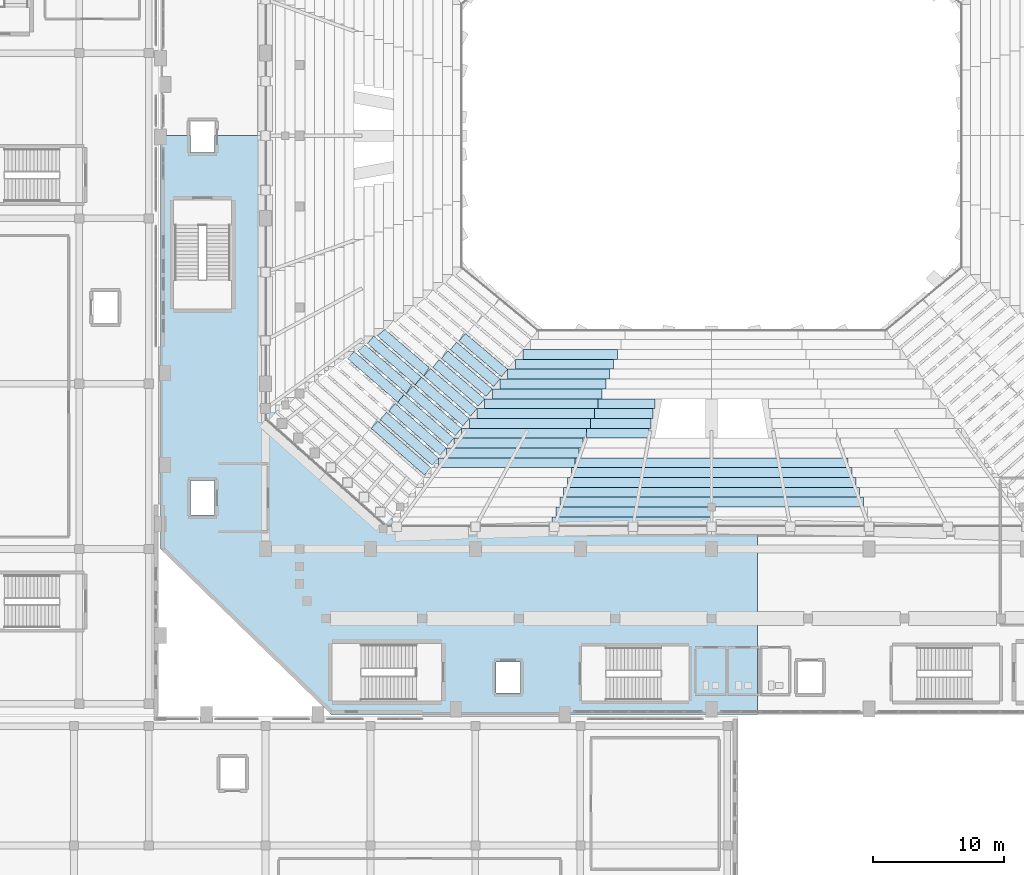
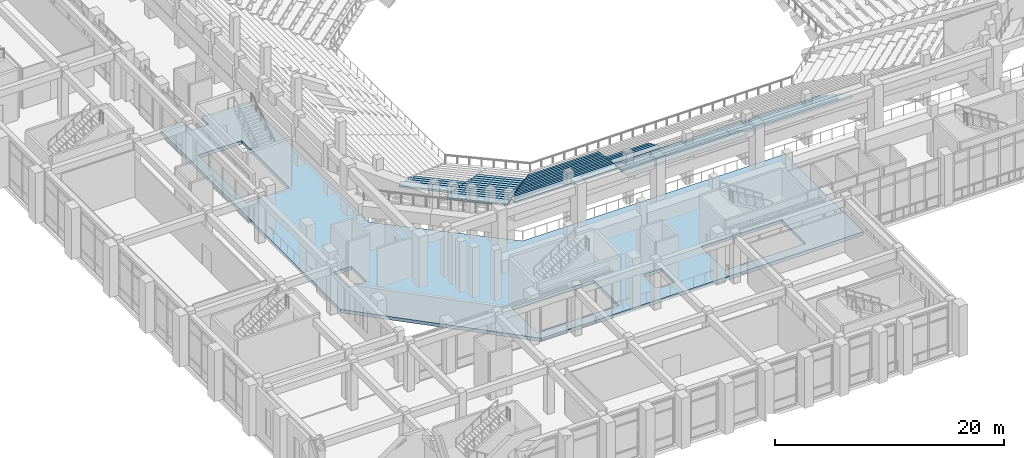
# One storey, part 89 of 159: 44 slabs.
"""IFC4 building model written with IfcOpenShell, lengths in metres."""

from ifc_helpers import new_model, si_unit, derived_unit, direction, frame, origin, place, context, subcontext, project, spatial, polyline, outline, extrude, material, layer, layer_set, type_object, element, save


model = new_model("IFC4")

# Units and contexts
model_context = context("Model", 3, precision=1e-05, world=origin(), true_north=direction((0.0, 1.0)))
body_context = subcontext(model_context, "Body", "Model", "MODEL_VIEW")
ifc_project = project(units=[si_unit("LENGTHUNIT", "METRE"), si_unit("AREAUNIT", "SQUARE_METRE"), si_unit("VOLUMEUNIT", "CUBIC_METRE"), si_unit("PLANEANGLEUNIT", "RADIAN"), si_unit("MASSUNIT", "GRAM", prefix="KILO"), derived_unit("THERMALTRANSMITTANCEUNIT", [(si_unit("MASSUNIT", "GRAM", prefix="KILO"), 1), (si_unit("TIMEUNIT", "SECOND"), -3), (si_unit("THERMODYNAMICTEMPERATUREUNIT", "KELVIN"), -1)])], contexts=[model_context])

# Site, building, storey
site_placement = place(None, origin())
site = spatial("IfcSite", under=ifc_project, at=site_placement, CompositionType="ELEMENT")
building_placement = place(site_placement, origin())
building = spatial("IfcBuilding", under=site, at=building_placement, Name="Valcora Ridge Arena", CompositionType="ELEMENT")
storey_placement = place(building_placement, frame((0.0, 0.0, 6.0)))
storey = spatial("IfcBuildingStorey", under=building, at=storey_placement, Name="L01", CompositionType="ELEMENT", Elevation=6.0)

# Slabs
ifc_material_1 = material(Name="Concrete C40/50", Category="concrete")
ifc_layer_1 = layer(ifc_material_1, 0.360107421875, Name="Concrete C40/50")
ifc_layer_set_1 = layer_set([ifc_layer_1], Name="Concrete C40/50")
slab_type_1 = type_object("IfcSlabType", Name="TY-SLAB-SL-CONC-360-SW", PredefinedType="FLOOR", material=ifc_layer_set_1)
slab_1_placement = place(storey_placement, frame((0.0, 0.0, -0.360107421875)))
element("IfcSlab", 1, at=slab_1_placement, inside=storey, type_object=slab_type_1, Name="SL-CONC-360-SW SLB-0037", PredefinedType="FLOOR", context=body_context, shape_type="SweptSolid", body=[
    extrude(outline(polyline([(16.0, 64.10009765625), (16.0, 32.60009765625), (29.0, 20.0), (61.5, 20.0), (61.5, 33.699951171875), (35.0, 33.699951171875), (24.800048828125, 42.89990234375), (24.800048828125, 64.10009765625), (20.1201171875, 64.10009765625), (20.1201171875, 62.830078125), (18.280029296875, 62.830078125), (18.280029296875, 64.10009765625), (16.0, 64.10009765625)]), holes=[polyline([(48.10009765625, 21.0), (56.260009765625, 21.0), (56.260009765625, 25.199951171875), (48.10009765625, 25.199951171875), (48.10009765625, 21.0)]), polyline([(29.080078125, 25.39990234375), (29.080078125, 21.0), (37.39990234375, 21.0), (37.39990234375, 25.39990234375), (29.080078125, 25.39990234375)]), polyline([(17.0, 50.8798828125), (21.39990234375, 50.8798828125), (21.39990234375, 59.199951171875), (17.0, 59.199951171875), (17.0, 50.8798828125)]), polyline([(43.419921875, 23.969970703125), (41.580078125, 23.969970703125), (41.580078125, 21.6298828125), (43.419921875, 21.6298828125), (43.419921875, 23.969970703125)]), polyline([(20.1201171875, 37.820068359375), (18.280029296875, 37.820068359375), (18.280029296875, 35.179931640625), (20.1201171875, 35.179931640625), (20.1201171875, 37.820068359375)])]), origin(), (0.0, 0.0, 1.0), 0.360107421875),
])
ifc_material_2 = material(Name="Precast concrete C45/55", Category="concrete")
ifc_layer_2 = layer(ifc_material_2, 0.199951171875, Name="Precast concrete C45/55")
ifc_layer_set_2 = layer_set([ifc_layer_2], Name="Precast concrete C45/55")
slab_type_2 = type_object("IfcSlabType", Name="TY-SLAB-ST-LOW-L042", PredefinedType="USERDEFINED", material=ifc_layer_set_2)
slab_2_placement = place(storey_placement, frame((0.0, 0.0, -3.840087890625)))
element("IfcSlab", 2, at=slab_2_placement, inside=storey, type_object=slab_type_2, Name="ST-LOW-L042 SLB-TR-0120", ObjectType="SEATING TIER", PredefinedType="USERDEFINED", context=body_context, shape_type="SweptSolid", body=[
    extrude(outline(polyline([(39.22998046875, 49.030029296875), (42.4599609375, 46.300048828125), (41.975830078125, 45.727294921875), (38.745849609375, 48.457275390625), (39.22998046875, 49.030029296875)])), origin(), (0.0, 0.0, 1.0), 0.2001953125),
])
ifc_layer_3 = layer(ifc_material_2, 0.199951171875, Name="Precast concrete C45/55")
ifc_layer_set_3 = layer_set([ifc_layer_3], Name="Precast concrete C45/55")
slab_type_3 = type_object("IfcSlabType", Name="TY-SLAB-ST-LOW-L043", PredefinedType="USERDEFINED", material=ifc_layer_set_3)
slab_3_placement = place(storey_placement, frame((0.0, 0.0, -3.39990234375)))
element("IfcSlab", 3, at=slab_3_placement, inside=storey, type_object=slab_type_3, Name="ST-LOW-L043 SLB-TR-0144", ObjectType="SEATING TIER", PredefinedType="USERDEFINED", context=body_context, shape_type="SweptSolid", body=[
    extrude(outline(polyline([(38.5625, 48.362548828125), (41.875, 45.550048828125), (41.3896484375, 44.978271484375), (38.0771484375, 47.790771484375), (38.5625, 48.362548828125)])), origin(), (0.0, 0.0, 1.0), 0.199951171875),
])
slab_4_placement = place(storey_placement, frame((0.0, 0.0, -2.52001953125)))
element("IfcSlab", 4, at=slab_4_placement, inside=storey, type_object=slab_type_3, Name="ST-LOW-L043 SLB-TR-0170", ObjectType="SEATING TIER", PredefinedType="USERDEFINED", context=body_context, shape_type="SweptSolid", body=[
    extrude(outline(polyline([(49.3525390625, 44.050048828125), (53.67626953125, 44.050048828125), (53.67626953125, 43.300048828125), (49.3525390625, 43.300048828125), (49.3525390625, 44.050048828125)])), origin(), (0.0, 0.0, 1.0), 0.199951171875),
])
ifc_layer_4 = layer(ifc_material_2, 0.199951171875, Name="Precast concrete C45/55")
ifc_layer_set_4 = layer_set([ifc_layer_4], Name="Precast concrete C45/55")
slab_type_4 = type_object("IfcSlabType", Name="TY-SLAB-ST-LOW-L045", PredefinedType="USERDEFINED", material=ifc_layer_set_4)
slab_5_placement = place(storey_placement, frame((0.0, 0.0, -2.9599609375)))
element("IfcSlab", 5, at=slab_5_placement, inside=storey, type_object=slab_type_4, Name="ST-LOW-L045 SLB-TR-0168", ObjectType="SEATING TIER", PredefinedType="USERDEFINED", context=body_context, shape_type="SweptSolid", body=[
    extrude(outline(polyline([(37.89501953125, 47.695068359375), (41.2900390625, 44.800048828125), (40.803466796875, 44.229248046875), (37.408447265625, 47.124267578125), (37.89501953125, 47.695068359375)])), origin(), (0.0, 0.0, 1.0), 0.199951171875),
])
slab_6_placement = place(storey_placement, frame((0.0, 0.0, -2.080078125)))
element("IfcSlab", 6, at=slab_6_placement, inside=storey, type_object=slab_type_4, Name="ST-LOW-L045 SLB-TR-0194", ObjectType="SEATING TIER", PredefinedType="USERDEFINED", context=body_context, shape_type="SweptSolid", body=[
    extrude(outline(polyline([(49.06005859375, 43.300048828125), (53.530029296875, 43.300048828125), (53.530029296875, 42.550048828125), (49.06005859375, 42.550048828125), (49.06005859375, 43.300048828125)])), origin(), (0.0, 0.0, 1.0), 0.2001953125),
])
ifc_layer_5 = layer(ifc_material_2, 0.199951171875, Name="Precast concrete C45/55")
ifc_layer_set_5 = layer_set([ifc_layer_5], Name="Precast concrete C45/55")
slab_type_5 = type_object("IfcSlabType", Name="TY-SLAB-ST-LOW-L046", PredefinedType="USERDEFINED", material=ifc_layer_set_5)
slab_7_placement = place(storey_placement, frame((0.0, 0.0, -2.52001953125)))
element("IfcSlab", 7, at=slab_7_placement, inside=storey, type_object=slab_type_5, Name="ST-LOW-L046 SLB-TR-0192", ObjectType="SEATING TIER", PredefinedType="USERDEFINED", context=body_context, shape_type="SweptSolid", body=[
    extrude(outline(polyline([(37.2275390625, 47.027587890625), (40.705078125, 44.050048828125), (40.21728515625, 43.480224609375), (36.73974609375, 46.457763671875), (37.2275390625, 47.027587890625)])), origin(), (0.0, 0.0, 1.0), 0.199951171875),
])
slab_8_placement = place(storey_placement, frame((0.0, 0.0, -1.639892578125)))
element("IfcSlab", 8, at=slab_8_placement, inside=storey, type_object=slab_type_5, Name="ST-LOW-L046 SLB-TR-0218", ObjectType="SEATING TIER", PredefinedType="USERDEFINED", context=body_context, shape_type="SweptSolid", body=[
    extrude(outline(polyline([(48.767578125, 42.550048828125), (53.3837890625, 42.550048828125), (53.3837890625, 41.800048828125), (48.767578125, 41.800048828125), (48.767578125, 42.550048828125)])), origin(), (0.0, 0.0, 1.0), 0.199951171875),
])
ifc_layer_6 = layer(ifc_material_2, 0.199951171875, Name="Precast concrete C45/55")
ifc_layer_set_6 = layer_set([ifc_layer_6], Name="Precast concrete C45/55")
slab_type_6 = type_object("IfcSlabType", Name="TY-SLAB-ST-LOW-L047", PredefinedType="USERDEFINED", material=ifc_layer_set_6)
slab_9_placement = place(storey_placement, frame((0.0, 0.0, -2.080078125)))
element("IfcSlab", 9, at=slab_9_placement, inside=storey, type_object=slab_type_6, Name="ST-LOW-L047 SLB-TR-0216", ObjectType="SEATING TIER", PredefinedType="USERDEFINED", context=body_context, shape_type="SweptSolid", body=[
    extrude(outline(polyline([(36.56005859375, 46.360107421875), (40.1201171875, 43.300048828125), (39.631103515625, 42.731201171875), (36.071044921875, 45.791259765625), (36.56005859375, 46.360107421875)])), origin(), (0.0, 0.0, 1.0), 0.2001953125),
])
ifc_layer_7 = layer(ifc_material_2, 0.199951171875, Name="Precast concrete C45/55")
ifc_layer_set_7 = layer_set([ifc_layer_7], Name="Precast concrete C45/55")
slab_type_7 = type_object("IfcSlabType", Name="TY-SLAB-ST-LOW-L048", PredefinedType="USERDEFINED", material=ifc_layer_set_7)
slab_10_placement = place(storey_placement, frame((0.0, 0.0, -1.639892578125)))
element("IfcSlab", 10, at=slab_10_placement, inside=storey, type_object=slab_type_7, Name="ST-LOW-L048 SLB-TR-0239", ObjectType="SEATING TIER", PredefinedType="USERDEFINED", context=body_context, shape_type="SweptSolid", body=[
    extrude(outline(polyline([(32.25, 48.8349609375), (35.892578125, 45.6923828125), (35.402587890625, 45.12451171875), (31.760009765625, 48.26708984375), (32.25, 48.8349609375)])), origin(), (0.0, 0.0, 1.0), 0.199951171875),
])
slab_11_placement = place(storey_placement, frame((0.0, 0.0, -1.639892578125)))
element("IfcSlab", 11, at=slab_11_placement, inside=storey, type_object=slab_type_7, Name="ST-LOW-L048 SLB-TR-0240", ObjectType="SEATING TIER", PredefinedType="USERDEFINED", context=body_context, shape_type="SweptSolid", body=[
    extrude(outline(polyline([(35.892578125, 45.6923828125), (39.534912109375, 42.550048828125), (39.045166015625, 41.982177734375), (35.402587890625, 45.12451171875), (35.892578125, 45.6923828125)])), origin(), (0.0, 0.0, 1.0), 0.199951171875),
])
slab_12_placement = place(storey_placement, frame((0.0, 0.0, -1.199951171875)))
element("IfcSlab", 12, at=slab_12_placement, inside=storey, type_object=slab_type_7, Name="ST-LOW-L048 SLB-TR-0242", ObjectType="SEATING TIER", PredefinedType="USERDEFINED", context=body_context, shape_type="SweptSolid", body=[
    extrude(outline(polyline([(48.47509765625, 41.800048828125), (53.237548828125, 41.800048828125), (53.237548828125, 41.050048828125), (48.47509765625, 41.050048828125), (48.47509765625, 41.800048828125)])), origin(), (0.0, 0.0, 1.0), 0.199951171875),
])
ifc_layer_8 = layer(ifc_material_2, 0.199951171875, Name="Precast concrete C45/55")
ifc_layer_set_8 = layer_set([ifc_layer_8], Name="Precast concrete C45/55")
slab_type_8 = type_object("IfcSlabType", Name="TY-SLAB-ST-LOW-L049", PredefinedType="USERDEFINED", material=ifc_layer_set_8)
slab_13_placement = place(storey_placement, frame((0.0, 0.0, -1.199951171875)))
element("IfcSlab", 13, at=slab_13_placement, inside=storey, type_object=slab_type_8, Name="ST-LOW-L049 SLB-TR-0264", ObjectType="SEATING TIER", PredefinedType="USERDEFINED", context=body_context, shape_type="SweptSolid", body=[
    extrude(outline(polyline([(35.22509765625, 45.02490234375), (38.949951171875, 41.800048828125), (38.458984375, 41.23291015625), (34.734130859375, 44.4580078125), (35.22509765625, 45.02490234375)])), origin(), (0.0, 0.0, 1.0), 0.199951171875),
])
ifc_layer_9 = layer(ifc_material_2, 0.199951171875, Name="Precast concrete C45/55")
ifc_layer_set_9 = layer_set([ifc_layer_9], Name="Precast concrete C45/55")
slab_type_9 = type_object("IfcSlabType", Name="TY-SLAB-ST-LOW-L050", PredefinedType="USERDEFINED", material=ifc_layer_set_9)
slab_14_placement = place(storey_placement, frame((0.0, 0.0, -0.760009765625)))
element("IfcSlab", 14, at=slab_14_placement, inside=storey, type_object=slab_type_9, Name="ST-LOW-L050 SLB-TR-0287", ObjectType="SEATING TIER", PredefinedType="USERDEFINED", context=body_context, shape_type="SweptSolid", body=[
    extrude(outline(polyline([(30.75, 47.6650390625), (34.5576171875, 44.357421875), (34.065673828125, 43.791259765625), (30.25830078125, 47.098876953125), (30.75, 47.6650390625)])), origin(), (0.0, 0.0, 1.0), 0.199951171875),
])
slab_15_placement = place(storey_placement, frame((0.0, 0.0, -0.760009765625)))
element("IfcSlab", 15, at=slab_15_placement, inside=storey, type_object=slab_type_9, Name="ST-LOW-L050 SLB-TR-0288", ObjectType="SEATING TIER", PredefinedType="USERDEFINED", context=body_context, shape_type="SweptSolid", body=[
    extrude(outline(polyline([(34.5576171875, 44.357421875), (38.364990234375, 41.050048828125), (37.873291015625, 40.48388671875), (34.065673828125, 43.791259765625), (34.5576171875, 44.357421875)])), origin(), (0.0, 0.0, 1.0), 0.199951171875),
])
ifc_layer_10 = layer(ifc_material_2, 0.199951171875, Name="Precast concrete C45/55")
ifc_layer_set_10 = layer_set([ifc_layer_10], Name="Precast concrete C45/55")
slab_type_10 = type_object("IfcSlabType", Name="TY-SLAB-ST-LOW-L052", PredefinedType="USERDEFINED", material=ifc_layer_set_10)
slab_16_placement = place(storey_placement, frame((0.0, 0.0, -0.320068359375)))
element("IfcSlab", 16, at=slab_16_placement, inside=storey, type_object=slab_type_10, Name="ST-LOW-L052 SLB-TR-0312", ObjectType="SEATING TIER", PredefinedType="USERDEFINED", context=body_context, shape_type="SweptSolid", body=[
    extrude(outline(polyline([(33.889892578125, 43.68994140625), (37.780029296875, 40.300048828125), (37.287353515625, 39.734619140625), (33.397216796875, 43.12451171875), (33.889892578125, 43.68994140625)])), origin(), (0.0, 0.0, 1.0), 0.199951171875),
])
ifc_layer_11 = layer(ifc_material_2, 0.199951171875, Name="Precast concrete C45/55")
ifc_layer_set_11 = layer_set([ifc_layer_11], Name="Precast concrete C45/55")
slab_type_11 = type_object("IfcSlabType", Name="TY-SLAB-ST-LOW-L053", PredefinedType="USERDEFINED", material=ifc_layer_set_11)
slab_17_placement = place(storey_placement, frame((0.0, 0.0, 0.1201171875)))
element("IfcSlab", 17, at=slab_17_placement, inside=storey, type_object=slab_type_11, Name="ST-LOW-L053 SLB-TR-0336", ObjectType="SEATING TIER", PredefinedType="USERDEFINED", context=body_context, shape_type="SweptSolid", body=[
    extrude(outline(polyline([(33.222412109375, 43.0224609375), (37.195068359375, 39.550048828125), (36.701416015625, 38.9853515625), (32.72900390625, 42.457763671875), (33.222412109375, 43.0224609375)])), origin(), (0.0, 0.0, 1.0), 0.199951171875),
])
ifc_layer_12 = layer(ifc_material_2, 0.199951171875, Name="Precast concrete C45/55")
ifc_layer_set_12 = layer_set([ifc_layer_12], Name="Precast concrete C45/55")
slab_type_12 = type_object("IfcSlabType", Name="TY-SLAB-ST-LOW-L054", PredefinedType="USERDEFINED", material=ifc_layer_set_12)
slab_18_placement = place(storey_placement, frame((0.0, 0.0, 0.56005859375)))
element("IfcSlab", 18, at=slab_18_placement, inside=storey, type_object=slab_type_12, Name="ST-LOW-L054 SLB-TR-0360", ObjectType="SEATING TIER", PredefinedType="USERDEFINED", context=body_context, shape_type="SweptSolid", body=[
    extrude(outline(polyline([(32.554931640625, 42.35498046875), (36.610107421875, 38.800048828125), (36.115478515625, 38.236083984375), (32.060546875, 41.791015625), (32.554931640625, 42.35498046875)])), origin(), (0.0, 0.0, 1.0), 0.199951171875),
])
ifc_layer_13 = layer(ifc_material_2, 0.199951171875, Name="Precast concrete C45/55")
ifc_layer_set_13 = layer_set([ifc_layer_13], Name="Precast concrete C45/55")
slab_type_13 = type_object("IfcSlabType", Name="TY-SLAB-ST-LOW-L072", PredefinedType="USERDEFINED", material=ifc_layer_set_13)
slab_19_placement = place(storey_placement, frame((0.0, 0.0, -4.719970703125)))
element("IfcSlab", 19, at=slab_19_placement, inside=storey, type_object=slab_type_13, Name="ST-LOW-L072 SLB-TR-0049", ObjectType="SEATING TIER", PredefinedType="USERDEFINED", context=body_context, shape_type="SweptSolid", body=[
    extrude(outline(polyline([(43.6298828125, 47.800048828125), (50.81494140625, 47.800048828125), (50.81494140625, 47.050048828125), (43.6298828125, 47.050048828125), (43.6298828125, 47.800048828125)])), origin(), (0.0, 0.0, 1.0), 0.199951171875),
])
ifc_layer_14 = layer(ifc_material_2, 0.199951171875, Name="Precast concrete C45/55")
ifc_layer_set_14 = layer_set([ifc_layer_14], Name="Precast concrete C45/55")
slab_type_14 = type_object("IfcSlabType", Name="TY-SLAB-ST-LOW-L075", PredefinedType="USERDEFINED", material=ifc_layer_set_14)
slab_20_placement = place(storey_placement, frame((0.0, 0.0, -4.280029296875)))
element("IfcSlab", 20, at=slab_20_placement, inside=storey, type_object=slab_type_14, Name="ST-LOW-L075 SLB-TR-0073", ObjectType="SEATING TIER", PredefinedType="USERDEFINED", context=body_context, shape_type="SweptSolid", body=[
    extrude(outline(polyline([(43.044921875, 47.050048828125), (50.5224609375, 47.050048828125), (50.5224609375, 46.300048828125), (43.044921875, 46.300048828125), (43.044921875, 47.050048828125)])), origin(), (0.0, 0.0, 1.0), 0.199951171875),
])
ifc_layer_15 = layer(ifc_material_2, 0.199951171875, Name="Precast concrete C45/55")
ifc_layer_set_15 = layer_set([ifc_layer_15], Name="Precast concrete C45/55")
slab_type_15 = type_object("IfcSlabType", Name="TY-SLAB-ST-LOW-L078", PredefinedType="USERDEFINED", material=ifc_layer_set_15)
slab_21_placement = place(storey_placement, frame((0.0, 0.0, -3.840087890625)))
element("IfcSlab", 21, at=slab_21_placement, inside=storey, type_object=slab_type_15, Name="ST-LOW-L078 SLB-TR-0097", ObjectType="SEATING TIER", PredefinedType="USERDEFINED", context=body_context, shape_type="SweptSolid", body=[
    extrude(outline(polyline([(42.4599609375, 46.300048828125), (50.22998046875, 46.300048828125), (50.22998046875, 45.550048828125), (42.4599609375, 45.550048828125), (42.4599609375, 46.300048828125)])), origin(), (0.0, 0.0, 1.0), 0.2001953125),
])
ifc_layer_16 = layer(ifc_material_2, 0.199951171875, Name="Precast concrete C45/55")
ifc_layer_set_16 = layer_set([ifc_layer_16], Name="Precast concrete C45/55")
slab_type_16 = type_object("IfcSlabType", Name="TY-SLAB-ST-LOW-L081", PredefinedType="USERDEFINED", material=ifc_layer_set_16)
slab_22_placement = place(storey_placement, frame((0.0, 0.0, -3.39990234375)))
element("IfcSlab", 22, at=slab_22_placement, inside=storey, type_object=slab_type_16, Name="ST-LOW-L081 SLB-TR-0121", ObjectType="SEATING TIER", PredefinedType="USERDEFINED", context=body_context, shape_type="SweptSolid", body=[
    extrude(outline(polyline([(41.875, 45.550048828125), (49.9375, 45.550048828125), (49.9375, 44.800048828125), (41.875, 44.800048828125), (41.875, 45.550048828125)])), origin(), (0.0, 0.0, 1.0), 0.199951171875),
])
ifc_layer_17 = layer(ifc_material_2, 0.199951171875, Name="Precast concrete C45/55")
ifc_layer_set_17 = layer_set([ifc_layer_17], Name="Precast concrete C45/55")
slab_type_17 = type_object("IfcSlabType", Name="TY-SLAB-ST-LOW-L084", PredefinedType="USERDEFINED", material=ifc_layer_set_17)
slab_23_placement = place(storey_placement, frame((0.0, 0.0, -2.9599609375)))
element("IfcSlab", 23, at=slab_23_placement, inside=storey, type_object=slab_type_17, Name="ST-LOW-L084 SLB-TR-0145", ObjectType="SEATING TIER", PredefinedType="USERDEFINED", context=body_context, shape_type="SweptSolid", body=[
    extrude(outline(polyline([(41.2900390625, 44.800048828125), (49.64501953125, 44.800048828125), (49.64501953125, 44.050048828125), (41.2900390625, 44.050048828125), (41.2900390625, 44.800048828125)])), origin(), (0.0, 0.0, 1.0), 0.199951171875),
])
ifc_layer_18 = layer(ifc_material_2, 0.199951171875, Name="Precast concrete C45/55")
ifc_layer_set_18 = layer_set([ifc_layer_18], Name="Precast concrete C45/55")
slab_type_18 = type_object("IfcSlabType", Name="TY-SLAB-ST-LOW-L086", PredefinedType="USERDEFINED", material=ifc_layer_set_18)
slab_24_placement = place(storey_placement, frame((0.0, 0.0, -2.52001953125)))
element("IfcSlab", 24, at=slab_24_placement, inside=storey, type_object=slab_type_18, Name="ST-LOW-L086 SLB-TR-0169", ObjectType="SEATING TIER", PredefinedType="USERDEFINED", context=body_context, shape_type="SweptSolid", body=[
    extrude(outline(polyline([(40.705078125, 44.050048828125), (49.3525390625, 44.050048828125), (49.3525390625, 43.300048828125), (40.705078125, 43.300048828125), (40.705078125, 44.050048828125)])), origin(), (0.0, 0.0, 1.0), 0.199951171875),
])
ifc_layer_19 = layer(ifc_material_2, 0.199951171875, Name="Precast concrete C45/55")
ifc_layer_set_19 = layer_set([ifc_layer_19], Name="Precast concrete C45/55")
slab_type_19 = type_object("IfcSlabType", Name="TY-SLAB-ST-LOW-L089", PredefinedType="USERDEFINED", material=ifc_layer_set_19)
slab_25_placement = place(storey_placement, frame((0.0, 0.0, -2.080078125)))
element("IfcSlab", 25, at=slab_25_placement, inside=storey, type_object=slab_type_19, Name="ST-LOW-L089 SLB-TR-0193", ObjectType="SEATING TIER", PredefinedType="USERDEFINED", context=body_context, shape_type="SweptSolid", body=[
    extrude(outline(polyline([(40.1201171875, 43.300048828125), (49.06005859375, 43.300048828125), (49.06005859375, 42.550048828125), (40.1201171875, 42.550048828125), (40.1201171875, 43.300048828125)])), origin(), (0.0, 0.0, 1.0), 0.2001953125),
])
ifc_layer_20 = layer(ifc_material_2, 0.199951171875, Name="Precast concrete C45/55")
ifc_layer_set_20 = layer_set([ifc_layer_20], Name="Precast concrete C45/55")
slab_type_20 = type_object("IfcSlabType", Name="TY-SLAB-ST-LOW-L092", PredefinedType="USERDEFINED", material=ifc_layer_set_20)
slab_26_placement = place(storey_placement, frame((0.0, 0.0, -1.639892578125)))
element("IfcSlab", 26, at=slab_26_placement, inside=storey, type_object=slab_type_20, Name="ST-LOW-L092 SLB-TR-0217", ObjectType="SEATING TIER", PredefinedType="USERDEFINED", context=body_context, shape_type="SweptSolid", body=[
    extrude(outline(polyline([(39.534912109375, 42.550048828125), (48.767578125, 42.550048828125), (48.767578125, 41.800048828125), (39.534912109375, 41.800048828125), (39.534912109375, 42.550048828125)])), origin(), (0.0, 0.0, 1.0), 0.199951171875),
])
ifc_layer_21 = layer(ifc_material_2, 0.199951171875, Name="Precast concrete C45/55")
ifc_layer_set_21 = layer_set([ifc_layer_21], Name="Precast concrete C45/55")
slab_type_21 = type_object("IfcSlabType", Name="TY-SLAB-ST-LOW-L095", PredefinedType="USERDEFINED", material=ifc_layer_set_21)
slab_27_placement = place(storey_placement, frame((0.0, 0.0, -1.199951171875)))
element("IfcSlab", 27, at=slab_27_placement, inside=storey, type_object=slab_type_21, Name="ST-LOW-L095 SLB-TR-0241", ObjectType="SEATING TIER", PredefinedType="USERDEFINED", context=body_context, shape_type="SweptSolid", body=[
    extrude(outline(polyline([(38.949951171875, 41.800048828125), (48.47509765625, 41.800048828125), (48.47509765625, 41.050048828125), (38.949951171875, 41.050048828125), (38.949951171875, 41.800048828125)])), origin(), (0.0, 0.0, 1.0), 0.199951171875),
])
ifc_layer_22 = layer(ifc_material_2, 0.199951171875, Name="Precast concrete C45/55")
ifc_layer_set_22 = layer_set([ifc_layer_22], Name="Precast concrete C45/55")
slab_type_22 = type_object("IfcSlabType", Name="TY-SLAB-ST-LOW-L098", PredefinedType="USERDEFINED", material=ifc_layer_set_22)
slab_28_placement = place(storey_placement, frame((0.0, 0.0, -0.760009765625)))
element("IfcSlab", 28, at=slab_28_placement, inside=storey, type_object=slab_type_22, Name="ST-LOW-L098 SLB-TR-0265", ObjectType="SEATING TIER", PredefinedType="USERDEFINED", context=body_context, shape_type="SweptSolid", body=[
    extrude(outline(polyline([(38.364990234375, 41.050048828125), (48.1826171875, 41.050048828125), (48.1826171875, 40.300048828125), (38.364990234375, 40.300048828125), (38.364990234375, 41.050048828125)])), origin(), (0.0, 0.0, 1.0), 0.199951171875),
])
ifc_layer_23 = layer(ifc_material_2, 0.199951171875, Name="Precast concrete C45/55")
ifc_layer_set_23 = layer_set([ifc_layer_23], Name="Precast concrete C45/55")
slab_type_23 = type_object("IfcSlabType", Name="TY-SLAB-ST-LOW-L101", PredefinedType="USERDEFINED", material=ifc_layer_set_23)
slab_29_placement = place(storey_placement, frame((0.0, 0.0, -0.320068359375)))
element("IfcSlab", 29, at=slab_29_placement, inside=storey, type_object=slab_type_23, Name="ST-LOW-L101 SLB-TR-0289", ObjectType="SEATING TIER", PredefinedType="USERDEFINED", context=body_context, shape_type="SweptSolid", body=[
    extrude(outline(polyline([(37.780029296875, 40.300048828125), (47.889892578125, 40.300048828125), (47.889892578125, 39.550048828125), (37.780029296875, 39.550048828125), (37.780029296875, 40.300048828125)])), origin(), (0.0, 0.0, 1.0), 0.199951171875),
])
ifc_layer_24 = layer(ifc_material_2, 0.199951171875, Name="Precast concrete C45/55")
ifc_layer_set_24 = layer_set([ifc_layer_24], Name="Precast concrete C45/55")
slab_type_24 = type_object("IfcSlabType", Name="TY-SLAB-ST-LOW-L104", PredefinedType="USERDEFINED", material=ifc_layer_set_24)
slab_30_placement = place(storey_placement, frame((0.0, 0.0, 0.1201171875)))
element("IfcSlab", 30, at=slab_30_placement, inside=storey, type_object=slab_type_24, Name="ST-LOW-L104 SLB-TR-0313", ObjectType="SEATING TIER", PredefinedType="USERDEFINED", context=body_context, shape_type="SweptSolid", body=[
    extrude(outline(polyline([(37.195068359375, 39.550048828125), (47.597412109375, 39.550048828125), (47.597412109375, 38.800048828125), (37.195068359375, 38.800048828125), (37.195068359375, 39.550048828125)])), origin(), (0.0, 0.0, 1.0), 0.199951171875),
])
slab_31_placement = place(storey_placement, frame((0.0, 0.0, 0.1201171875)))
element("IfcSlab", 31, at=slab_31_placement, inside=storey, type_object=slab_type_24, Name="ST-LOW-L104 SLB-TR-0314", ObjectType="SEATING TIER", PredefinedType="USERDEFINED", context=body_context, shape_type="SweptSolid", body=[
    extrude(outline(polyline([(47.597412109375, 39.550048828125), (58.0, 39.550048828125), (58.0, 38.800048828125), (47.597412109375, 38.800048828125), (47.597412109375, 39.550048828125)])), origin(), (0.0, 0.0, 1.0), 0.199951171875),
])
slab_32_placement = place(storey_placement, frame((0.0, 0.0, 0.1201171875)))
element("IfcSlab", 32, at=slab_32_placement, inside=storey, type_object=slab_type_24, Name="ST-LOW-L104 SLB-TR-0315", ObjectType="SEATING TIER", PredefinedType="USERDEFINED", context=body_context, shape_type="SweptSolid", body=[
    extrude(outline(polyline([(58.0, 39.550048828125), (68.402587890625, 39.550048828125), (68.402587890625, 38.800048828125), (58.0, 38.800048828125), (58.0, 39.550048828125)])), origin(), (0.0, 0.0, 1.0), 0.199951171875),
])
ifc_layer_25 = layer(ifc_material_2, 0.199951171875, Name="Precast concrete C45/55")
ifc_layer_set_25 = layer_set([ifc_layer_25], Name="Precast concrete C45/55")
slab_type_25 = type_object("IfcSlabType", Name="TY-SLAB-ST-LOW-L107", PredefinedType="USERDEFINED", material=ifc_layer_set_25)
slab_33_placement = place(storey_placement, frame((0.0, 0.0, 0.56005859375)))
element("IfcSlab", 33, at=slab_33_placement, inside=storey, type_object=slab_type_25, Name="ST-LOW-L107 SLB-TR-0338", ObjectType="SEATING TIER", PredefinedType="USERDEFINED", context=body_context, shape_type="SweptSolid", body=[
    extrude(outline(polyline([(47.304931640625, 38.800048828125), (58.0, 38.800048828125), (58.0, 38.050048828125), (47.304931640625, 38.050048828125), (47.304931640625, 38.800048828125)])), origin(), (0.0, 0.0, 1.0), 0.199951171875),
])
slab_34_placement = place(storey_placement, frame((0.0, 0.0, 0.56005859375)))
element("IfcSlab", 34, at=slab_34_placement, inside=storey, type_object=slab_type_25, Name="ST-LOW-L107 SLB-TR-0339", ObjectType="SEATING TIER", PredefinedType="USERDEFINED", context=body_context, shape_type="SweptSolid", body=[
    extrude(outline(polyline([(58.0, 38.800048828125), (68.695068359375, 38.800048828125), (68.695068359375, 38.050048828125), (58.0, 38.050048828125), (58.0, 38.800048828125)])), origin(), (0.0, 0.0, 1.0), 0.199951171875),
])
ifc_layer_26 = layer(ifc_material_2, 0.199951171875, Name="Precast concrete C45/55")
ifc_layer_set_26 = layer_set([ifc_layer_26], Name="Precast concrete C45/55")
slab_type_26 = type_object("IfcSlabType", Name="TY-SLAB-ST-LOW-L110", PredefinedType="USERDEFINED", material=ifc_layer_set_26)
slab_35_placement = place(storey_placement, frame((0.0, 0.0, 1.0)))
element("IfcSlab", 35, at=slab_35_placement, inside=storey, type_object=slab_type_26, Name="ST-LOW-L110 SLB-TR-0362", ObjectType="SEATING TIER", PredefinedType="USERDEFINED", context=body_context, shape_type="SweptSolid", body=[
    extrude(outline(polyline([(47.012451171875, 38.050048828125), (58.0, 38.050048828125), (58.0, 37.300048828125), (47.012451171875, 37.300048828125), (47.012451171875, 38.050048828125)])), origin(), (0.0, 0.0, 1.0), 0.199951171875),
])
slab_36_placement = place(storey_placement, frame((0.0, 0.0, 1.0)))
element("IfcSlab", 36, at=slab_36_placement, inside=storey, type_object=slab_type_26, Name="ST-LOW-L110 SLB-TR-0363", ObjectType="SEATING TIER", PredefinedType="USERDEFINED", context=body_context, shape_type="SweptSolid", body=[
    extrude(outline(polyline([(58.0, 38.050048828125), (68.987548828125, 38.050048828125), (68.987548828125, 37.300048828125), (58.0, 37.300048828125), (58.0, 38.050048828125)])), origin(), (0.0, 0.0, 1.0), 0.199951171875),
])
ifc_layer_27 = layer(ifc_material_2, 0.199951171875, Name="Precast concrete C45/55")
ifc_layer_set_27 = layer_set([ifc_layer_27], Name="Precast concrete C45/55")
slab_type_27 = type_object("IfcSlabType", Name="TY-SLAB-ST-LOW-L113", PredefinedType="USERDEFINED", material=ifc_layer_set_27)
slab_37_placement = place(storey_placement, frame((0.0, 0.0, 1.43994140625)))
element("IfcSlab", 37, at=slab_37_placement, inside=storey, type_object=slab_type_27, Name="ST-LOW-L113 SLB-TR-0386", ObjectType="SEATING TIER", PredefinedType="USERDEFINED", context=body_context, shape_type="SweptSolid", body=[
    extrude(outline(polyline([(46.719970703125, 37.300048828125), (58.0, 37.300048828125), (58.0, 36.550048828125), (46.719970703125, 36.550048828125), (46.719970703125, 37.300048828125)])), origin(), (0.0, 0.0, 1.0), 0.199951171875),
])
slab_38_placement = place(storey_placement, frame((0.0, 0.0, 1.43994140625)))
element("IfcSlab", 38, at=slab_38_placement, inside=storey, type_object=slab_type_27, Name="ST-LOW-L113 SLB-TR-0387", ObjectType="SEATING TIER", PredefinedType="USERDEFINED", context=body_context, shape_type="SweptSolid", body=[
    extrude(outline(polyline([(58.0, 37.300048828125), (69.280029296875, 37.300048828125), (69.280029296875, 36.550048828125), (58.0, 36.550048828125), (58.0, 37.300048828125)])), origin(), (0.0, 0.0, 1.0), 0.199951171875),
])
ifc_layer_28 = layer(ifc_material_2, 0.199951171875, Name="Precast concrete C45/55")
ifc_layer_set_28 = layer_set([ifc_layer_28], Name="Precast concrete C45/55")
slab_type_28 = type_object("IfcSlabType", Name="TY-SLAB-ST-LOW-L116", PredefinedType="USERDEFINED", material=ifc_layer_set_28)
slab_39_placement = place(storey_placement, frame((0.0, 0.0, 1.8798828125)))
element("IfcSlab", 39, at=slab_39_placement, inside=storey, type_object=slab_type_28, Name="ST-LOW-L116 SLB-TR-0410", ObjectType="SEATING TIER", PredefinedType="USERDEFINED", context=body_context, shape_type="SweptSolid", body=[
    extrude(outline(polyline([(46.427490234375, 36.550048828125), (58.0, 36.550048828125), (58.0, 35.800048828125), (46.427490234375, 35.800048828125), (46.427490234375, 36.550048828125)])), origin(), (0.0, 0.0, 1.0), 0.2001953125),
])
slab_40_placement = place(storey_placement, frame((0.0, 0.0, 1.8798828125)))
element("IfcSlab", 40, at=slab_40_placement, inside=storey, type_object=slab_type_28, Name="ST-LOW-L116 SLB-TR-0411", ObjectType="SEATING TIER", PredefinedType="USERDEFINED", context=body_context, shape_type="SweptSolid", body=[
    extrude(outline(polyline([(58.0, 36.550048828125), (69.572509765625, 36.550048828125), (69.572509765625, 35.800048828125), (58.0, 35.800048828125), (58.0, 36.550048828125)])), origin(), (0.0, 0.0, 1.0), 0.2001953125),
])
ifc_layer_29 = layer(ifc_material_2, 0.199951171875, Name="Precast concrete C45/55")
ifc_layer_set_29 = layer_set([ifc_layer_29], Name="Precast concrete C45/55")
slab_type_29 = type_object("IfcSlabType", Name="TY-SLAB-ST-LOW-L119", PredefinedType="USERDEFINED", material=ifc_layer_set_29)
slab_41_placement = place(storey_placement, frame((0.0, 0.0, 2.320068359375)))
element("IfcSlab", 41, at=slab_41_placement, inside=storey, type_object=slab_type_29, Name="ST-LOW-L119 SLB-TR-0434", ObjectType="SEATING TIER", PredefinedType="USERDEFINED", context=body_context, shape_type="SweptSolid", body=[
    extrude(outline(polyline([(46.135009765625, 35.800048828125), (58.0, 35.800048828125), (58.0, 35.050048828125), (46.135009765625, 35.050048828125), (46.135009765625, 35.800048828125)])), origin(), (0.0, 0.0, 1.0), 0.199951171875),
])
ifc_layer_30 = layer(ifc_material_2, 0.199951171875, Name="Precast concrete C45/55")
ifc_layer_set_30 = layer_set([ifc_layer_30], Name="Precast concrete C45/55")
slab_type_30 = type_object("IfcSlabType", Name="TY-SLAB-ST-LOW-L122", PredefinedType="USERDEFINED", material=ifc_layer_set_30)
slab_42_placement = place(storey_placement, frame((0.0, 0.0, 2.760009765625)))
element("IfcSlab", 42, at=slab_42_placement, inside=storey, type_object=slab_type_30, Name="ST-LOW-L122 SLB-TR-0458", ObjectType="SEATING TIER", PredefinedType="USERDEFINED", context=body_context, shape_type="SweptSolid", body=[
    extrude(outline(polyline([(45.842529296875, 35.050048828125), (58.0, 35.050048828125), (58.0, 34.300048828125), (45.842529296875, 34.300048828125), (45.842529296875, 35.050048828125)])), origin(), (0.0, 0.0, 1.0), 0.199951171875),
])
ifc_layer_31 = layer(ifc_material_2, 0.199951171875, Name="Precast concrete C45/55")
ifc_layer_set_31 = layer_set([ifc_layer_31], Name="Precast concrete C45/55")
slab_type_31 = type_object("IfcSlabType", Name="TY-SLAB-ST-LOW-M047", PredefinedType="USERDEFINED", material=ifc_layer_set_31)
slab_43_placement = place(storey_placement, frame((0.0, 0.0, -2.080078125)))
element("IfcSlab", 43, at=slab_43_placement, inside=storey, type_object=slab_type_31, Name="ST-LOW-M047 SLB-TR-0215", ObjectType="SEATING TIER", PredefinedType="USERDEFINED", context=body_context, shape_type="SweptSolid", body=[
    extrude(outline(polyline([(33.091064453125, 49.341796875), (36.468994140625, 46.438232421875), (36.071044921875, 45.791259765625), (32.510986328125, 48.851318359375), (33.091064453125, 49.341796875)])), origin(), (0.0, 0.0, 1.0), 0.2001953125),
])
ifc_layer_32 = layer(ifc_material_2, 0.199951171875, Name="Precast concrete C45/55")
ifc_layer_set_32 = layer_set([ifc_layer_32], Name="Precast concrete C45/55")
slab_type_32 = type_object("IfcSlabType", Name="TY-SLAB-ST-LOW-M049", PredefinedType="USERDEFINED", material=ifc_layer_set_32)
slab_44_placement = place(storey_placement, frame((0.0, 0.0, -1.199951171875)))
element("IfcSlab", 44, at=slab_44_placement, inside=storey, type_object=slab_type_32, Name="ST-LOW-M049 SLB-TR-0263", ObjectType="SEATING TIER", PredefinedType="USERDEFINED", context=body_context, shape_type="SweptSolid", body=[
    extrude(outline(polyline([(31.5908203125, 48.17138671875), (35.13427734375, 45.103515625), (34.734130859375, 44.4580078125), (31.009033203125, 47.68310546875), (31.5908203125, 48.17138671875)])), origin(), (0.0, 0.0, 1.0), 0.199951171875),
])

save(model, "model.ifc")
